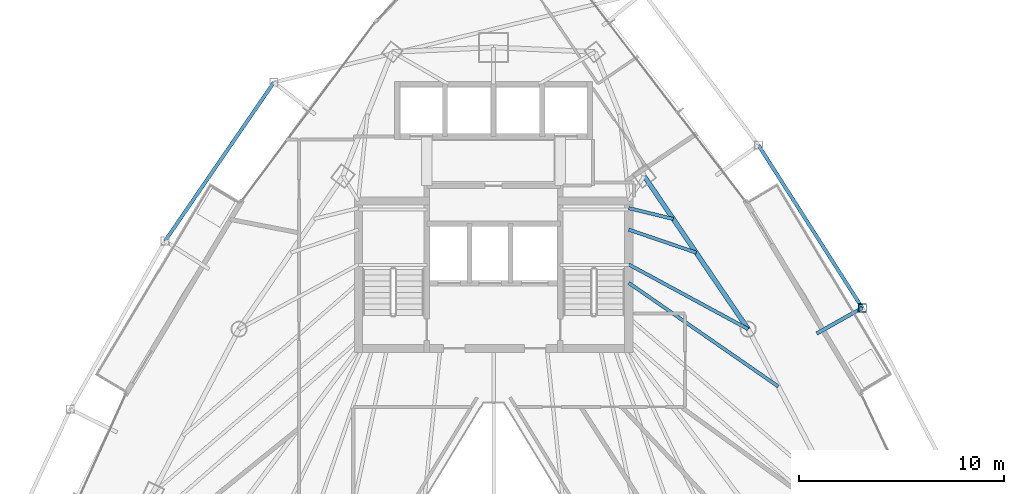
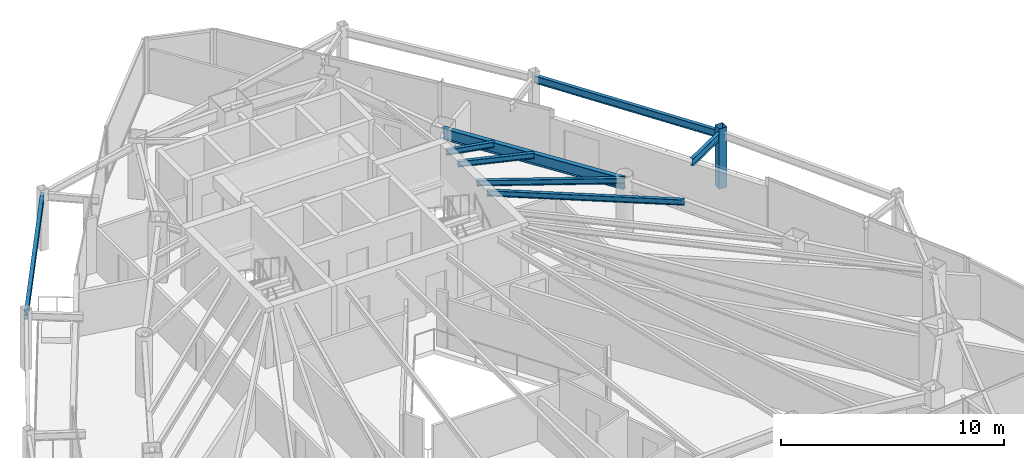
# One storey, part 17 of 29: 8 beams, 1 member.
"""IFC4 building model written with IfcOpenShell, lengths in metres."""

from ifc_helpers import new_model, si_unit, direction, frame, origin, origin_2d, place, context, subcontext, project, spatial, hollow_rectangle, i_section, extrude, material, material_profile, profile_set, type_object, element, save


model = new_model("IFC4")

# Units and contexts
model_context = context("Model", 3, precision=1e-05, world=origin(), true_north=direction((0.0, 1.0)))
body_context = subcontext(model_context, "Body", "Model", "MODEL_VIEW")
ifc_project = project(units=[si_unit("LENGTHUNIT", "METRE"), si_unit("AREAUNIT", "SQUARE_METRE"), si_unit("VOLUMEUNIT", "CUBIC_METRE"), si_unit("PLANEANGLEUNIT", "RADIAN"), si_unit("MASSUNIT", "GRAM", prefix="KILO")], contexts=[model_context])

# Site, building, storey
site_placement = place(None, origin())
site = spatial("IfcSite", under=ifc_project, at=site_placement, CompositionType="ELEMENT")
building_placement = place(site_placement, origin())
building = spatial("IfcBuilding", under=site, at=building_placement, Name="Orvanel Arch Residences", CompositionType="ELEMENT")
storey_placement = place(building_placement, frame((0.0, 0.0, 163.85009765625)))
storey = spatial("IfcBuildingStorey", under=building, at=storey_placement, Name="L46", CompositionType="ELEMENT", Elevation=163.85009765625)

# Beams
ifc_material_1 = material(Name="Structural steel AS/NZS 3679.1 Grade 300 (300 MPa)", Category="steel")
ifc_material_profile_1 = material_profile(ifc_material_1, i_section(OverallWidth=0.1650390625, OverallDepth=0.303955078125, WebThickness=0.006103515625, FlangeThickness=0.01025390625, at=origin_2d()), Name="310UB40.4")
ifc_profile_set_1 = profile_set([ifc_material_profile_1], Name="Structural steel AS/NZS 3679.1 Grade 300 (300 MPa)")
beam_type_1 = type_object("IfcBeamType", Name="BJ-310UB", PredefinedType="JOIST", material=ifc_profile_set_1)
beam_1_placement = place(storey_placement, frame((39.60009765625, 30.800048828125, 2.907958984375), z_axis=(0.87925534649, -0.476350748576, 0.0), x_axis=(0.476350748576, 0.87925534649, 0.0)))
element("IfcBeam", 1, at=beam_1_placement, inside=storey, type_object=beam_type_1, Name="L46 NE Wing Floor Joist", PredefinedType="JOIST", context=body_context, shape_type="SweptSolid", body=[
    extrude(i_section(OverallWidth=0.1650390625, OverallDepth=0.303955078125, WebThickness=0.006103515625, FlangeThickness=0.01025390625, at=origin_2d()), origin(), (0.0, 0.0, 1.0), 6.631591796875),
])
beam_2_placement = place(storey_placement, frame((39.60009765625, 32.5, 2.907958984375), z_axis=(0.9464126781, -0.322959815969, 0.0), x_axis=(0.322959815969, 0.9464126781, 0.0)))
element("IfcBeam", 2, at=beam_2_placement, inside=storey, type_object=beam_type_1, Name="L46 ENE Wing Floor Joist", PredefinedType="JOIST", context=body_context, shape_type="SweptSolid", body=[
    extrude(i_section(OverallWidth=0.1650390625, OverallDepth=0.303955078125, WebThickness=0.006103515625, FlangeThickness=0.01025390625, at=origin_2d()), origin(), (0.0, 0.0, 1.0), 3.477294921875),
])
beam_3_placement = place(storey_placement, frame((39.60009765625, 29.89990234375, 2.907958984375), z_axis=(0.822002180325, -0.569484341787, 0.0), x_axis=(0.569484341787, 0.822002180325, 0.0)))
element("IfcBeam", 3, at=beam_3_placement, inside=storey, type_object=beam_type_1, Name="L46 CTE Wing Floor Joist", PredefinedType="JOIST", context=body_context, shape_type="SweptSolid", body=[
    extrude(i_section(OverallWidth=0.1650390625, OverallDepth=0.303955078125, WebThickness=0.006103515625, FlangeThickness=0.01025390625, at=origin_2d()), origin(), (0.0, 0.0, 1.0), 8.88330078125),
])
beam_4_placement = place(storey_placement, frame((39.60009765625, 33.550048828125, 2.907958984375), z_axis=(0.971638471014, -0.236471312521, 0.0), x_axis=(0.236471312521, 0.971638471014, 0.0)))
element("IfcBeam", 4, at=beam_4_placement, inside=storey, type_object=beam_type_1, Name="L46 JADD4 Wing Floor Joist", PredefinedType="JOIST", context=body_context, shape_type="SweptSolid", body=[
    extrude(i_section(OverallWidth=0.1650390625, OverallDepth=0.303955078125, WebThickness=0.006103515625, FlangeThickness=0.01025390625, at=origin_2d()), origin(), (0.0, 0.0, 1.0), 2.2373046875),
])
ifc_material_profile_2 = material_profile(ifc_material_1, i_section(OverallWidth=0.177978515625, OverallDepth=0.406005859375, WebThickness=0.0078125, FlangeThickness=0.0126953125, at=origin_2d()), Name="410UB59.7")
ifc_profile_set_2 = profile_set([ifc_material_profile_2], Name="Structural steel AS/NZS 3679.1 Grade 300 (300 MPa)")
beam_type_2 = type_object("IfcBeamType", Name="OB-410UB-EXT", PredefinedType="SPANDREL", material=ifc_profile_set_2)
beam_5_placement = place(storey_placement, frame((22.27392578125, 39.69189453125, 2.85693359375), z_axis=(-0.565878877775, -0.824488384205, 0.0), x_axis=(0.824488384205, -0.565878877775, 0.0)))
element("IfcBeam", 5, at=beam_5_placement, inside=storey, type_object=beam_type_2, Name="L46 Outer Perimeter Floor Ring Beam 01", PredefinedType="SPANDREL", context=body_context, shape_type="SweptSolid", body=[
    extrude(i_section(OverallWidth=0.177978515625, OverallDepth=0.406005859375, WebThickness=0.0078125, FlangeThickness=0.0126953125, at=origin_2d()), origin(), (0.0, 0.0, 1.0), 9.392333984375),
])
beam_6_placement = place(storey_placement, frame((48.778076171875, 27.429931640625, 2.85693359375), z_axis=(0.871803026856, 0.489856593673, 0.0), x_axis=(-0.489856593673, 0.871803026856, 0.0)))
element("IfcBeam", 6, at=beam_6_placement, inside=storey, type_object=beam_type_2, Name="L46 Outer Frame Radial Tie Beam 10", PredefinedType="SPANDREL", context=body_context, shape_type="SweptSolid", body=[
    extrude(i_section(OverallWidth=0.177978515625, OverallDepth=0.406005859375, WebThickness=0.0078125, FlangeThickness=0.0126953125, at=origin_2d()), origin(), (0.0, 0.0, 1.0), 2.5498046875),
])
beam_7_placement = place(storey_placement, frame((51.0009765625, 28.678955078125, 2.85693359375), z_axis=(-0.538014699336, 0.842935456188, 0.0), x_axis=(-0.842935456188, -0.538014699336, 0.0)))
element("IfcBeam", 7, at=beam_7_placement, inside=storey, type_object=beam_type_2, Name="L46 Outer Perimeter Floor Ring Beam 10", PredefinedType="SPANDREL", context=body_context, shape_type="SweptSolid", body=[
    extrude(i_section(OverallWidth=0.177978515625, OverallDepth=0.406005859375, WebThickness=0.0078125, FlangeThickness=0.0126953125, at=origin_2d()), origin(), (0.0, 0.0, 1.0), 9.425537109375),
])
ifc_material_profile_3 = material_profile(ifc_material_1, i_section(OverallWidth=0.22900390625, OverallDepth=0.612060546875, WebThickness=0.011962890625, FlangeThickness=0.01953125, at=origin_2d()), Name="610UB125")
ifc_profile_set_3 = profile_set([ifc_material_profile_3], Name="Structural steel AS/NZS 3679.1 Grade 300 (300 MPa)")
beam_type_3 = type_object("IfcBeamType", Name="SP-610UB", PredefinedType="SPANDREL", material=ifc_profile_set_3)
beam_8_placement = place(storey_placement, frame((45.430908203125, 27.64111328125, 2.75390625), z_axis=(-0.562154793153, 0.827032035978, 0.0), x_axis=(-0.827032035978, -0.562154793153, 0.0)))
element("IfcBeam", 8, at=beam_8_placement, inside=storey, type_object=beam_type_3, Name="L46 Perimeter Spandrel Beam 12", PredefinedType="SPANDREL", context=body_context, shape_type="SweptSolid", body=[
    extrude(i_section(OverallWidth=0.22900390625, OverallDepth=0.612060546875, WebThickness=0.011962890625, FlangeThickness=0.01953125, at=origin_2d()), origin(), (0.0, 0.0, 1.0), 9.03466796875),
])

# Member
ifc_material_2 = material(Name="Structural steel AS/NZS 1163 C450L0 (Grade 450)", Category="steel")
ifc_material_profile_4 = material_profile(ifc_material_2, hollow_rectangle(XDim=0.39990234375, YDim=0.39990234375, WallThickness=0.01611328125, at=origin_2d()), Name="SHS400x400x16")
ifc_profile_set_4 = profile_set([ifc_material_profile_4], Name="Structural steel AS/NZS 1163 C450L0 (Grade 450)")
member_type = type_object("IfcMemberType", Name="ST-400SHS-EXT", PredefinedType="STRUT", material=ifc_profile_set_4)
member_placement = place(storey_placement, frame((51.0009765625, 28.678955078125, 0.0), z_axis=(0.0, 0.0, 1.0), x_axis=(1.0, 0.0, 0.0)))
element("IfcMember", 9, at=member_placement, inside=storey, type_object=member_type, Name="L46 Outer Perimeter Frame Post 10", PredefinedType="STRUT", context=body_context, shape_type="SweptSolid", body=[
    extrude(hollow_rectangle(XDim=0.39990234375, YDim=0.39990234375, WallThickness=0.01611328125, at=origin_2d()), origin(), (0.0, 0.0, 1.0), 3.2998046875),
])

save(model, "model.ifc")
